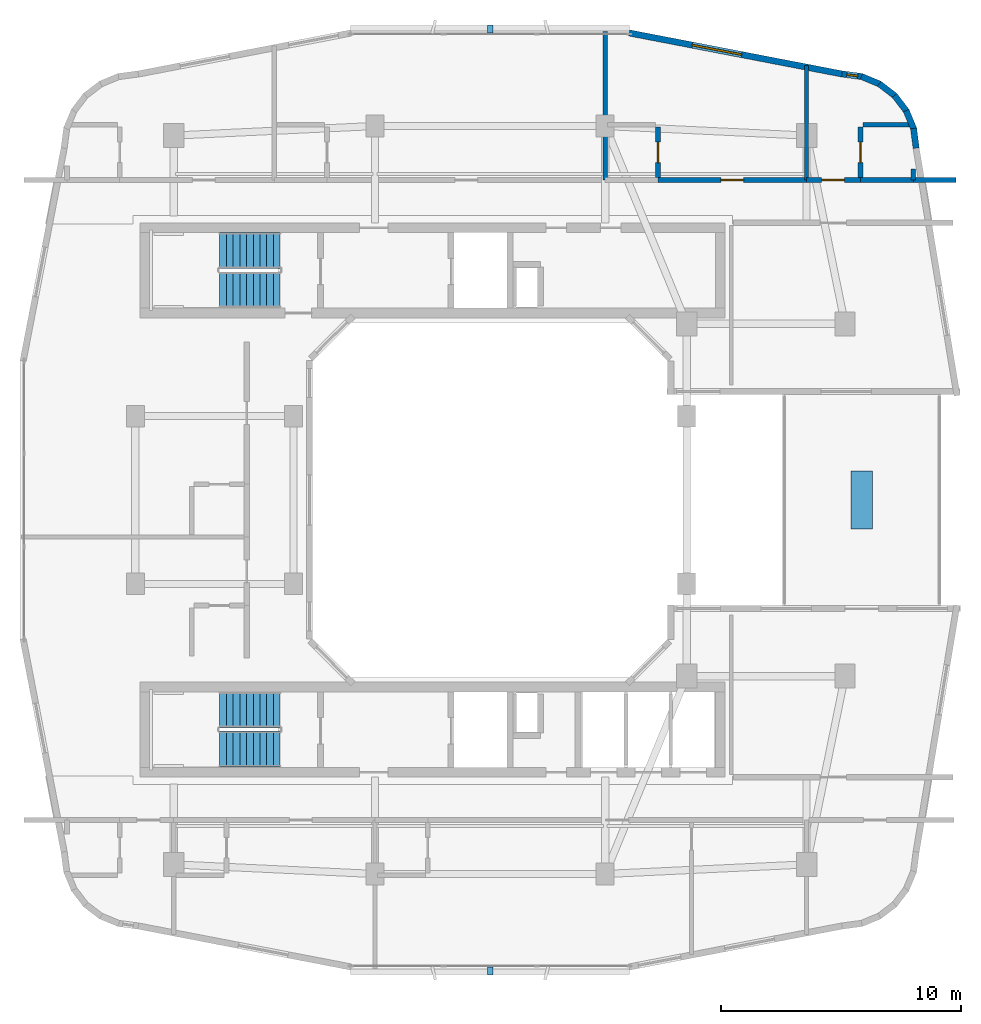
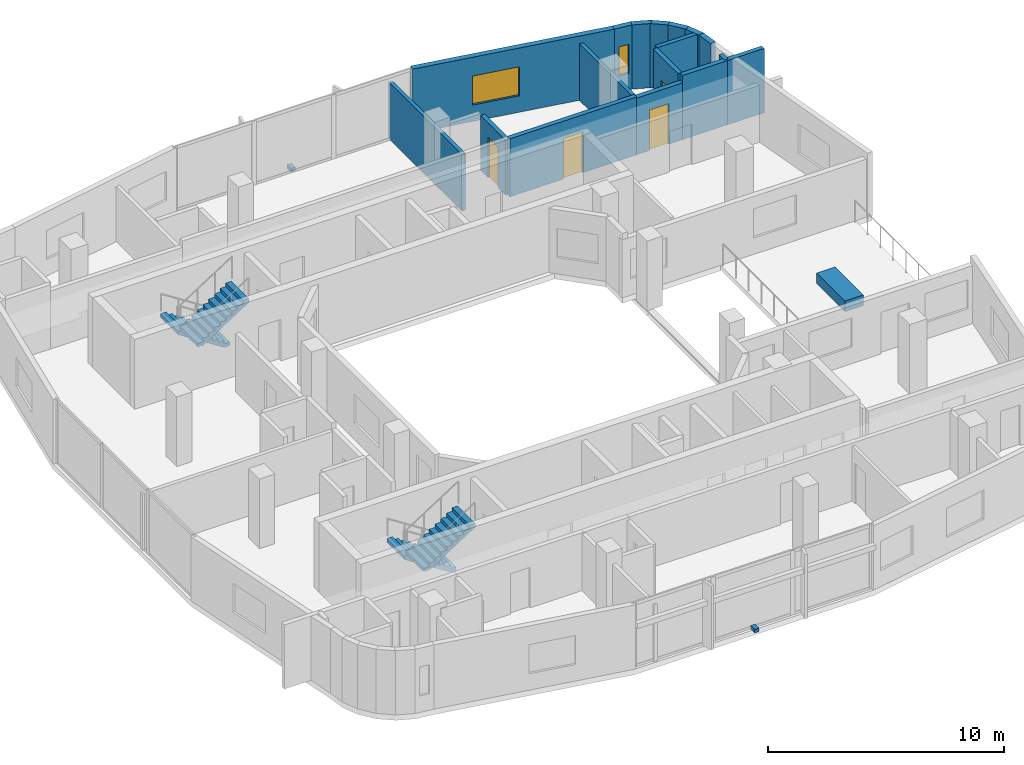
# One storey, part 8 of 12: 17 walls, 4 doors, 4 stair flights, 3 discrete accessories, 2 windows, 6 openings, 2 elements without a shape of their own.
"""IFC4 building model written with IfcOpenShell, lengths in metres."""

from ifc_helpers import new_model, si_unit, derived_unit, direction, frame, frame_2d, origin, origin_2d, place, context, subcontext, project, spatial, polyline, rectangle, outline, extrude, material, layer, layer_set, type_object, element, fill, aggregate, save


model = new_model("IFC4")

# Units and contexts
model_context = context("Model", 3, precision=1e-05, world=origin(), true_north=direction((0.0, 1.0)))
body_context = subcontext(model_context, "Body", "Model", "MODEL_VIEW")
ifc_project = project(units=[si_unit("LENGTHUNIT", "METRE"), si_unit("AREAUNIT", "SQUARE_METRE"), si_unit("VOLUMEUNIT", "CUBIC_METRE"), si_unit("PLANEANGLEUNIT", "RADIAN"), si_unit("MASSUNIT", "GRAM", prefix="KILO"), derived_unit("THERMALTRANSMITTANCEUNIT", [(si_unit("POWERUNIT", "WATT"), 1), (si_unit("LENGTHUNIT", "METRE"), -2), (si_unit("THERMODYNAMICTEMPERATUREUNIT", "KELVIN"), -1)])], contexts=[model_context])

# Site, building, storey
site_placement = place(None, origin())
site = spatial("IfcSite", under=ifc_project, at=site_placement, CompositionType="ELEMENT")
building_placement = place(site_placement, origin())
building = spatial("IfcBuilding", under=site, at=building_placement, Name="Kivonza Crest Hotel", CompositionType="ELEMENT")
storey_placement = place(building_placement, frame((0.0, 0.0, 177.5)))
storey = spatial("IfcBuildingStorey", under=building, at=storey_placement, Name="L48", CompositionType="ELEMENT", Elevation=177.5)

# Walls
ifc_material_1 = material(Name="High-density acoustic masonry inter-tenancy wall", Category="masonry")
ifc_layer_1 = layer(ifc_material_1, 0.179931640625)
ifc_layer_set_1 = layer_set([ifc_layer_1], Name="High-density acoustic masonry inter-tenancy wall")
wall_type_1 = type_object("IfcWallType", Name="WL-ACOU-180", PredefinedType="SOLIDWALL", material=ifc_layer_set_1)
wall_1_placement = place(storey_placement, frame((25.800048828125, 38.35009765625, 0.0), z_axis=(0.0, 0.0, 1.0), x_axis=(0.0, 1.0, 0.0)))
element("IfcWall", 1, at=wall_1_placement, inside=storey, type_object=wall_type_1, Name="L48 interior partition WA-L48-T1N-DIV2", PredefinedType="SOLIDWALL", context=body_context, shape_type="SweptSolid", body=[
    extrude(rectangle(XDim=6.18994140625, YDim=0.179931640625, at=frame_2d((3.094970703125, 0.0))), origin(), (0.0, 0.0, 1.0), 2.93505859375),
])
wall_2_placement = place(storey_placement, frame((34.199951171875, 38.35009765625, 0.0), z_axis=(0.0, 0.0, 1.0), x_axis=(0.0, 1.0, 0.0)))
element("IfcWall", 2, at=wall_2_placement, inside=storey, type_object=wall_type_1, Name="L48 interior partition WA-L48-T1N-DIV3", PredefinedType="SOLIDWALL", context=body_context, shape_type="SweptSolid", body=[
    extrude(rectangle(XDim=4.77783203125, YDim=0.179931640625, at=frame_2d((2.388916015625, 0.0))), origin(), (0.0, 0.0, 1.0), 2.93505859375),
])

# Wall, opening, door
ifc_material_2 = material(Name="Autoclaved aerated concrete blockwork", Category="masonry")
ifc_layer_2 = layer(ifc_material_2, 0.219970703125)
ifc_layer_set_2 = layer_set([ifc_layer_2], Name="Autoclaved aerated concrete blockwork")
wall_type_2 = type_object("IfcWallType", Name="WL-ACOU-220", PredefinedType="SOLIDWALL", material=ifc_layer_set_2)
wall_3_placement = place(storey_placement, frame((28.0, 38.35009765625, 0.0), z_axis=(0.0, 0.0, 1.0), x_axis=(1.0, 0.0, 0.0)))
wall_3 = element("IfcWall", 3, at=wall_3_placement, inside=storey, type_object=wall_type_2, Name="L48 interior partition WA-L48-N03-MCORR", PredefinedType="SOLIDWALL", context=body_context, shape_type="SweptSolid", body=[
    extrude(rectangle(XDim=6.199951171875, YDim=0.219970703125, at=frame_2d((3.10009765625, 0.0))), origin(), (0.0, 0.0, 1.0), 2.9951171875),
])
opening_1_placement = place(wall_3_placement, frame((2.625, 0.0, 0.0)))
opening_1 = element("IfcOpeningElement", 4, at=opening_1_placement, cuts=wall_3, Name="Opening DU-60", PredefinedType="OPENING", context=body_context, shape_type="SweptSolid", body=[
    extrude(rectangle(XDim=0.949951171875, YDim=2.10009765625, at=frame_2d((0.47509765625, 1.050048828125))), frame((0.0, 0.1201171875, 0.0), z_axis=(0.0, -1.0, 0.0), x_axis=(1.0, 0.0, 0.0)), (0.0, 0.0, 1.0), 0.239990234375),
])
ifc_material_3 = material(Name="Hardwood timber oak", Category="wood")
door_type_1 = type_object("IfcDoorType", Name="DR-UNIT-950", OperationType="NOTDEFINED", PredefinedType="DOOR", material=ifc_material_3)
door_1_placement = place(opening_1_placement, origin())
door_1 = element("IfcDoor", 5, at=door_1_placement, inside=storey, type_object=door_type_1, Name="L48 N03 guest unit entrance fire door", OperationType="SINGLE_SWING_LEFT", OverallHeight=2.10009765625, OverallWidth=0.949951171875, PredefinedType="DOOR", context=body_context, shape_type="SweptSolid", body=[
    extrude(rectangle(XDim=0.949951171875, YDim=2.10009765625, at=frame_2d((0.47509765625, 1.050048828125))), frame((0.0, 0.02490234375, 0.0), z_axis=(0.0, -1.0, 0.0), x_axis=(1.0, 0.0, 0.0)), (0.0, 0.0, 1.0), 0.050048828125),
])
fill(opening_1, door_1)

# Walls
wall_4_placement = place(storey_placement, frame((38.64990234375, 38.35009765625, 0.0), z_axis=(0.0, 0.0, 1.0), x_axis=(1.0, 0.0, 0.0)))
element("IfcWall", 6, at=wall_4_placement, inside=storey, type_object=wall_type_2, Name="L48 interior partition WA-L48-N04-XCORR", PredefinedType="SOLIDWALL", context=body_context, shape_type="SweptSolid", body=[
    extrude(rectangle(XDim=1.7900390625, YDim=0.219970703125, at=frame_2d((0.89501953125, 0.0))), origin(), (0.0, 0.0, 1.0), 3.320068359375),
])
wall_5_placement = place(storey_placement, frame((36.449951171875, 38.35009765625, 0.0), z_axis=(0.0, 0.0, 1.0), x_axis=(1.0, 0.0, 0.0)))
element("IfcWall", 7, at=wall_5_placement, inside=storey, type_object=wall_type_2, Name="L48 interior partition WA-L48-N04-BCORR", PredefinedType="SOLIDWALL", context=body_context, shape_type="SweptSolid", body=[
    extrude(rectangle(XDim=2.199951171875, YDim=0.219970703125, at=frame_2d((1.10009765625, 0.0))), origin(), (0.0, 0.0, 1.0), 3.320068359375),
])

# Wall, opening, door
wall_6_placement = place(storey_placement, frame((34.199951171875, 38.35009765625, 0.0), z_axis=(0.0, 0.0, 1.0), x_axis=(1.0, 0.0, 0.0)))
wall_6 = element("IfcWall", 8, at=wall_6_placement, inside=storey, type_object=wall_type_2, Name="L48 interior partition WA-L48-N04-MCORR", PredefinedType="SOLIDWALL", context=body_context, shape_type="SweptSolid", body=[
    extrude(rectangle(XDim=2.25, YDim=0.219970703125, at=frame_2d((1.125, 0.0))), origin(), (0.0, 0.0, 1.0), 2.93505859375),
])
opening_2_placement = place(wall_6_placement, frame((0.6298828125, 0.0, 0.0)))
opening_2 = element("IfcOpeningElement", 9, at=opening_2_placement, cuts=wall_6, Name="Opening DU-60", PredefinedType="OPENING", context=body_context, shape_type="SweptSolid", body=[
    extrude(rectangle(XDim=0.949951171875, YDim=2.10009765625, at=frame_2d((0.47509765625, 1.050048828125))), frame((0.0, 0.1201171875, 0.0), z_axis=(0.0, -1.0, 0.0), x_axis=(1.0, 0.0, 0.0)), (0.0, 0.0, 1.0), 0.239990234375),
])
door_2_placement = place(opening_2_placement, origin())
door_2 = element("IfcDoor", 10, at=door_2_placement, inside=storey, type_object=door_type_1, Name="L48 N04 guest unit entrance fire door", OperationType="SINGLE_SWING_RIGHT", OverallHeight=2.10009765625, OverallWidth=0.949951171875, PredefinedType="DOOR", context=body_context, shape_type="SweptSolid", body=[
    extrude(rectangle(XDim=0.949951171875, YDim=2.10009765625, at=frame_2d((0.47509765625, 1.050048828125))), frame((0.0, 0.02490234375, 0.0), z_axis=(0.0, -1.0, 0.0), x_axis=(1.0, 0.0, 0.0)), (0.0, 0.0, 1.0), 0.050048828125),
])
fill(opening_2, door_2)

# Walls
ifc_material_4 = material(Name="Precast concrete C40/50", Category="concrete")
ifc_layer_3 = layer(ifc_material_4, 0.260009765625)
ifc_layer_set_3 = layer_set([ifc_layer_3], Name="Precast concrete C40/50")
wall_type_3 = type_object("IfcWallType", Name="WL-EXT-260", PredefinedType="STANDARD", material=ifc_layer_set_3)
wall_7_placement = place(storey_placement, frame((38.77197265625, 39.675048828125, 0.0), z_axis=(0.0, 0.0, 1.0), x_axis=(-0.130704676564, 0.99142134712, 0.0)))
element("IfcWall", 11, at=wall_7_placement, inside=storey, type_object=wall_type_3, Name="L48 T1 exterior insulated wall 29", PredefinedType="STANDARD", context=body_context, shape_type="SweptSolid", body=[
    extrude(rectangle(XDim=0.8330078125, YDim=0.260009765625, at=frame_2d((0.41650390625, 0.0))), origin(), (0.0, 0.0, 1.0), 3.320068359375),
])
wall_8_placement = place(storey_placement, frame((38.680908203125, 40.455078125, 0.0), z_axis=(0.0, 0.0, 1.0), x_axis=(-0.383086687796, 0.923712395518, 0.0)))
element("IfcWall", 12, at=wall_8_placement, inside=storey, type_object=wall_type_3, Name="L48 T1 exterior insulated wall 30", PredefinedType="STANDARD", context=body_context, shape_type="SweptSolid", body=[
    extrude(rectangle(XDim=0.850830078125, YDim=0.260009765625, at=frame_2d((0.42529296875, 0.0))), origin(), (0.0, 0.0, 1.0), 3.320068359375),
])
for number, where, z_axis, x_axis, name in (
    (13, (38.383056640625, 41.200927734375, 0.0), (0.0, 0.0, 1.0), (-0.608099977432, 0.793860452124, 0.0), "L48 T1 exterior insulated wall 31"),
    (14, (37.904052734375, 41.844970703125, 0.0), (0.0, 0.0, 1.0), (-0.793860452124, 0.608099977432, 0.0), "L48 T1 exterior insulated wall 32"),
):
    element("IfcWall", number, at=place(storey_placement, frame(where, z_axis=z_axis, x_axis=x_axis)), inside=storey, type_object=wall_type_3, Name=name, PredefinedType="STANDARD", context=body_context, shape_type="SweptSolid", body=[
        extrude(rectangle(XDim=0.850341796875, YDim=0.260009765625, at=frame_2d((0.42529296875, 0.0))), origin(), (0.0, 0.0, 1.0), 3.320068359375),
    ])
wall_9_placement = place(storey_placement, frame((37.27294921875, 42.341064453125, 0.0), z_axis=(0.0, 0.0, 1.0), x_axis=(-0.923712395518, 0.383086687796, 0.0)))
element("IfcWall", 15, at=wall_9_placement, inside=storey, type_object=wall_type_3, Name="L48 T1 exterior insulated wall 33", PredefinedType="STANDARD", context=body_context, shape_type="SweptSolid", body=[
    extrude(rectangle(XDim=0.850830078125, YDim=0.260009765625, at=frame_2d((0.42529296875, 0.0))), origin(), (0.0, 0.0, 1.0), 3.320068359375),
])

# Wall, opening, window
wall_10_placement = place(storey_placement, frame((36.535888671875, 42.658935546875, 0.0), z_axis=(0.0, 0.0, 1.0), x_axis=(-0.991488716273, 0.130192647656, 0.0)))
wall_10 = element("IfcWall", 16, at=wall_10_placement, inside=storey, type_object=wall_type_3, Name="L48 T1 exterior insulated wall 34", PredefinedType="STANDARD", context=body_context, shape_type="SweptSolid", body=[
    extrude(rectangle(XDim=0.8681640625, YDim=0.260009765625, at=frame_2d((0.43408203125, 0.0))), origin(), (0.0, 0.0, 1.0), 3.320068359375),
])
opening_3_placement = place(wall_10_placement, frame((0.208984375, 0.0, 0.85009765625)))
opening_3 = element("IfcOpeningElement", 17, at=opening_3_placement, cuts=wall_10, Name="Opening WN-11", PredefinedType="OPENING", context=body_context, shape_type="SweptSolid", body=[
    extrude(rectangle(XDim=0.449951171875, YDim=1.5, at=frame_2d((0.22509765625, 0.75))), frame((0.0, 0.14013671875, 0.0), z_axis=(0.0, -1.0, 0.0), x_axis=(1.0, 0.0, 0.0)), (0.0, 0.0, 1.0), 0.280029296875),
])
ifc_material_5 = material(Name="Thermally broken bronze aluminium and low-E double glazing", Category="aluminium")
window_type_1 = type_object("IfcWindowType", Name="WN-045x150", PartitioningType="SINGLE_PANEL", PredefinedType="WINDOW", material=ifc_material_5)
window_1_placement = place(opening_3_placement, origin())
window_1 = element("IfcWindow", 18, at=window_1_placement, inside=storey, type_object=window_type_1, Name="L48 corner vision window 1", OverallHeight=1.5, OverallWidth=0.449951171875, PartitioningType="SINGLE_PANEL", PredefinedType="WINDOW", context=body_context, shape_type="SweptSolid", body=[
    extrude(rectangle(XDim=0.449951171875, YDim=1.5, at=frame_2d((0.22509765625, 0.75))), frame((0.0, 0.030029296875, 0.0), z_axis=(0.0, -1.0, 0.0), x_axis=(1.0, 0.0, 0.0)), (0.0, 0.0, 1.0), 0.06005859375),
])
fill(opening_3, window_1)

wall_11_placement = place(storey_placement, frame((35.68310546875, 42.77001953125, 0.0), z_axis=(0.0, 0.0, 1.0), x_axis=(-0.98192801022, 0.189254809039, 0.0)))
wall_11 = element("IfcWall", 19, at=wall_11_placement, inside=storey, type_object=wall_type_3, Name="L48 T1 exterior insulated wall 35", PredefinedType="STANDARD", context=body_context, shape_type="SweptSolid", body=[
    extrude(rectangle(XDim=9.045654296875, YDim=0.260009765625, at=frame_2d((4.52294921875, 0.0))), origin(), (0.0, 0.0, 1.0), 3.320068359375),
])
opening_4_placement = place(wall_11_placement, frame((4.264892578125, 0.0, 0.85009765625)))
opening_4 = element("IfcOpeningElement", 20, at=opening_4_placement, cuts=wall_11, Name="Opening WN-04", PredefinedType="OPENING", context=body_context, shape_type="SweptSolid", body=[
    extrude(rectangle(XDim=2.10009765625, YDim=1.5, at=frame_2d((1.050048828125, 0.75))), frame((0.0, 0.14013671875, 0.0), z_axis=(0.0, -1.0, 0.0), x_axis=(1.0, 0.0, 0.0)), (0.0, 0.0, 1.0), 0.280029296875),
])
window_type_2 = type_object("IfcWindowType", Name="WN-210x150", PartitioningType="DOUBLE_PANEL_VERTICAL", PredefinedType="WINDOW", material=ifc_material_5)
window_2_placement = place(opening_4_placement, origin())
window_2 = element("IfcWindow", 21, at=window_2_placement, inside=storey, type_object=window_type_2, Name="L48 T1 facade window 35", OverallHeight=1.5, OverallWidth=2.10009765625, PartitioningType="SINGLE_PANEL", PredefinedType="WINDOW", context=body_context, shape_type="SweptSolid", body=[
    extrude(rectangle(XDim=2.10009765625, YDim=1.5, at=frame_2d((1.050048828125, 0.75))), frame((0.0, 0.030029296875, 0.0), z_axis=(0.0, -1.0, 0.0), x_axis=(1.0, 0.0, 0.0)), (0.0, 0.0, 1.0), 0.06005859375),
])
fill(opening_4, window_2)

# Wall, opening, door
ifc_material_6 = material(Name="Moisture-resistant plumbing chase partition wall", Category="gypsum")
ifc_layer_4 = layer(ifc_material_6, 0.199951171875)
ifc_layer_set_4 = layer_set([ifc_layer_4], Name="Moisture-resistant plumbing chase partition wall")
wall_type_4 = type_object("IfcWallType", Name="WL-PLUMB-200", PredefinedType="PLUMBINGWALL", material=ifc_layer_set_4)
wall_12_placement = place(storey_placement, frame((28.0, 38.449951171875, 0.0), z_axis=(0.0, 0.0, 1.0), x_axis=(0.0, 1.0, 0.0)))
wall_12 = element("IfcWall", 22, at=wall_12_placement, inside=storey, type_object=wall_type_4, Name="L48 interior partition WW-L48-N03-BV", PredefinedType="PLUMBINGWALL", context=body_context, shape_type="SweptSolid", body=[
    extrude(rectangle(XDim=2.10009765625, YDim=0.199951171875, at=frame_2d((1.050048828125, 0.0))), origin(), (0.0, 0.0, 1.0), 2.844970703125),
])
opening_5_placement = place(wall_12_placement, frame((0.625, 0.0, 0.0)))
opening_5 = element("IfcOpeningElement", 23, at=opening_5_placement, cuts=wall_12, Name="Opening DI-85", PredefinedType="OPENING", context=body_context, shape_type="SweptSolid", body=[
    extrude(rectangle(XDim=0.85009765625, YDim=2.10009765625, at=frame_2d((0.425048828125, 1.050048828125))), frame((0.0, 0.10986328125, 0.0), z_axis=(0.0, -1.0, 0.0), x_axis=(1.0, 0.0, 0.0)), (0.0, 0.0, 1.0), 0.219970703125),
])
door_type_2 = type_object("IfcDoorType", Name="DR-INT-850", OperationType="NOTDEFINED", PredefinedType="DOOR", material=ifc_material_3)
door_3_placement = place(opening_5_placement, frame((0.85009765625, 0.0, 0.0), z_axis=(0.0, 0.0, 1.0), x_axis=(-1.0, 0.0, 0.0)))
door_3 = element("IfcDoor", 24, at=door_3_placement, inside=storey, type_object=door_type_2, Name="L48 N03 en-suite bathroom door", OperationType="SINGLE_SWING_RIGHT", OverallHeight=2.10009765625, OverallWidth=0.85009765625, PredefinedType="DOOR", context=body_context, shape_type="SweptSolid", body=[
    extrude(rectangle(XDim=0.85009765625, YDim=2.10009765625, at=frame_2d((0.425048828125, 1.050048828125))), frame((0.0, 0.02490234375, 0.0), z_axis=(0.0, -1.0, 0.0), x_axis=(1.0, 0.0, 0.0)), (0.0, 0.0, 1.0), 0.050048828125),
])
fill(opening_5, door_3)

wall_13_placement = place(storey_placement, frame((36.449951171875, 38.449951171875, 0.0), z_axis=(0.0, 0.0, 1.0), x_axis=(0.0, 1.0, 0.0)))
wall_13 = element("IfcWall", 25, at=wall_13_placement, inside=storey, type_object=wall_type_4, Name="L48 interior partition WW-L48-N04-BV", PredefinedType="PLUMBINGWALL", context=body_context, shape_type="SweptSolid", body=[
    extrude(rectangle(XDim=2.10009765625, YDim=0.199951171875, at=frame_2d((1.050048828125, 0.0))), origin(), (0.0, 0.0, 1.0), 3.320068359375),
])
opening_6_placement = place(wall_13_placement, frame((0.625, 0.0, 0.0)))
opening_6 = element("IfcOpeningElement", 26, at=opening_6_placement, cuts=wall_13, Name="Opening DI-85", PredefinedType="OPENING", context=body_context, shape_type="SweptSolid", body=[
    extrude(rectangle(XDim=0.85009765625, YDim=2.10009765625, at=frame_2d((0.425048828125, 1.050048828125))), frame((0.0, 0.10986328125, 0.0), z_axis=(0.0, -1.0, 0.0), x_axis=(1.0, 0.0, 0.0)), (0.0, 0.0, 1.0), 0.219970703125),
])
door_4_placement = place(opening_6_placement, origin())
door_4 = element("IfcDoor", 27, at=door_4_placement, inside=storey, type_object=door_type_2, Name="L48 N04 en-suite bathroom door", OperationType="SINGLE_SWING_LEFT", OverallHeight=2.10009765625, OverallWidth=0.85009765625, PredefinedType="DOOR", context=body_context, shape_type="SweptSolid", body=[
    extrude(rectangle(XDim=0.85009765625, YDim=2.10009765625, at=frame_2d((0.425048828125, 1.050048828125))), frame((0.0, 0.02490234375, 0.0), z_axis=(0.0, -1.0, 0.0), x_axis=(1.0, 0.0, 0.0)), (0.0, 0.0, 1.0), 0.050048828125),
])
fill(opening_6, door_4)

# Walls
wall_14_placement = place(storey_placement, frame((36.550048828125, 40.64990234375, 0.0), z_axis=(0.0, 0.0, 1.0), x_axis=(1.0, 0.0, 0.0)))
element("IfcWall", 28, at=wall_14_placement, inside=storey, type_object=wall_type_4, Name="L48 interior partition WW-L48-N04-BH", PredefinedType="PLUMBINGWALL", context=body_context, shape_type="SweptSolid", body=[
    extrude(rectangle(XDim=2.0, YDim=0.199951171875, at=frame_2d((1.0, 0.0))), origin(), (0.0, 0.0, 1.0), 3.320068359375),
])
wall_15_placement = place(storey_placement, frame((38.64990234375, 38.35009765625, 0.0), z_axis=(0.0, 0.0, 1.0), x_axis=(0.0, 1.0, 0.0)))
element("IfcWall", 29, at=wall_15_placement, inside=storey, type_object=wall_type_4, Name="L48 interior partition WW-L48-N04-BVE", PredefinedType="PLUMBINGWALL", context=body_context, shape_type="SweptSolid", body=[
    extrude(rectangle(XDim=0.458984375, YDim=0.199951171875, at=frame_2d((0.2294921875, 0.0))), origin(), (0.0, 0.0, 1.0), 3.320068359375),
])

# Stair, stair flights
ifc_material_7 = material(Name="Concrete C40/50", Category="concrete")
stair_type = type_object("IfcStairType", Name="ST-DL-20R", PredefinedType="HALF_TURN_STAIR", material=ifc_material_7)
stair_1_placement = place(storey_placement, origin())
stair_1 = element("IfcStair", 30, at=stair_1_placement, inside=storey, type_object=stair_type, Name="L48 Protected Exit Stair ST-T1-N", PredefinedType="HALF_TURN_STAIR")
stair_flight_type = type_object("IfcStairFlightType", Name="SFL-RC-10R", PredefinedType="STRAIGHT", material=ifc_material_7)
stair_flight_1_placement = place(storey_placement, frame((12.239990234375, 35.409912109375, 0.0), z_axis=(0.0, 0.0, 1.0), x_axis=(-1.0, 0.0, 0.0)))
stair_flight_1 = element("IfcStairFlight", 31, at=stair_flight_1_placement, type_object=stair_flight_type, Name="ST-T1-N flight 1", NumberOfRisers=10, NumberOfTreads=9, PredefinedType="STRAIGHT", RiserHeight=0.18, TreadLength=0.28, context=body_context, shape_type="SweptSolid", body=[
    extrude(outline(polyline([(0.0, 0.0), (0.0, 0.179931640625), (0.280029296875, 0.179931640625), (0.280029296875, 0.360107421875), (0.56005859375, 0.360107421875), (0.56005859375, 0.5400390625), (0.840087890625, 0.5400390625), (0.840087890625, 0.719970703125), (1.1201171875, 0.719970703125), (1.1201171875, 0.89990234375), (1.39990234375, 0.89990234375), (1.39990234375, 1.080078125), (1.679931640625, 1.080078125), (1.679931640625, 1.260009765625), (1.9599609375, 1.260009765625), (1.9599609375, 1.43994140625), (2.239990234375, 1.43994140625), (2.239990234375, 1.6201171875), (2.52001953125, 1.6201171875), (2.52001953125, 1.800048828125), (2.52001953125, 1.44189453125), (0.277099609375, 0.0), (0.0, 0.0)])), frame((0.0, 0.75, 0.0), z_axis=(0.0, -1.0, 0.0), x_axis=(1.0, 0.0, 0.0)), (0.0, 0.0, 1.0), 1.5),
])
stair_flight_2_placement = place(storey_placement, frame((9.719970703125, 33.77001953125, 1.800048828125), z_axis=(0.0, 0.0, 1.0), x_axis=(1.0, 0.0, 0.0)))
stair_flight_2 = element("IfcStairFlight", 32, at=stair_flight_2_placement, type_object=stair_flight_type, Name="ST-T1-N flight 2", NumberOfRisers=10, NumberOfTreads=9, PredefinedType="STRAIGHT", RiserHeight=0.18, TreadLength=0.28, context=body_context, shape_type="SweptSolid", body=[
    extrude(outline(polyline([(0.0, 0.0), (0.0, 0.179931640625), (0.280029296875, 0.179931640625), (0.280029296875, 0.360107421875), (0.56005859375, 0.360107421875), (0.56005859375, 0.5400390625), (0.840087890625, 0.5400390625), (0.840087890625, 0.719970703125), (1.1201171875, 0.719970703125), (1.1201171875, 0.89990234375), (1.39990234375, 0.89990234375), (1.39990234375, 1.080078125), (1.679931640625, 1.080078125), (1.679931640625, 1.260009765625), (1.9599609375, 1.260009765625), (1.9599609375, 1.43994140625), (2.239990234375, 1.43994140625), (2.239990234375, 1.6201171875), (2.52001953125, 1.6201171875), (2.52001953125, 1.800048828125), (2.52001953125, 1.44189453125), (0.277099609375, 0.0), (0.0, 0.0)])), frame((0.0, 0.75, 0.0), z_axis=(0.0, -1.0, 0.0), x_axis=(1.0, 0.0, 0.0)), (0.0, 0.0, 1.0), 1.5),
])
aggregate(stair_1, [stair_flight_1, stair_flight_2])

stair_2_placement = place(storey_placement, origin())
stair_2 = element("IfcStair", 33, at=stair_2_placement, inside=storey, type_object=stair_type, Name="L48 Protected Exit Stair ST-T1-S", PredefinedType="HALF_TURN_STAIR")
stair_flight_3_placement = place(storey_placement, frame((12.239990234375, 16.25, 0.0), z_axis=(0.0, 0.0, 1.0), x_axis=(-1.0, 0.0, 0.0)))
stair_flight_3 = element("IfcStairFlight", 34, at=stair_flight_3_placement, type_object=stair_flight_type, Name="ST-T1-S flight 1", NumberOfRisers=10, NumberOfTreads=9, PredefinedType="STRAIGHT", RiserHeight=0.18, TreadLength=0.28, context=body_context, shape_type="SweptSolid", body=[
    extrude(outline(polyline([(0.0, 0.0), (0.0, 0.179931640625), (0.280029296875, 0.179931640625), (0.280029296875, 0.360107421875), (0.56005859375, 0.360107421875), (0.56005859375, 0.5400390625), (0.840087890625, 0.5400390625), (0.840087890625, 0.719970703125), (1.1201171875, 0.719970703125), (1.1201171875, 0.89990234375), (1.39990234375, 0.89990234375), (1.39990234375, 1.080078125), (1.679931640625, 1.080078125), (1.679931640625, 1.260009765625), (1.9599609375, 1.260009765625), (1.9599609375, 1.43994140625), (2.239990234375, 1.43994140625), (2.239990234375, 1.6201171875), (2.52001953125, 1.6201171875), (2.52001953125, 1.800048828125), (2.52001953125, 1.44189453125), (0.277099609375, 0.0), (0.0, 0.0)])), frame((0.0, 0.75, 0.0), z_axis=(0.0, -1.0, 0.0), x_axis=(1.0, 0.0, 0.0)), (0.0, 0.0, 1.0), 1.5),
])
stair_flight_4_placement = place(storey_placement, frame((9.719970703125, 14.610107421875, 1.800048828125), z_axis=(0.0, 0.0, 1.0), x_axis=(1.0, 0.0, 0.0)))
stair_flight_4 = element("IfcStairFlight", 35, at=stair_flight_4_placement, type_object=stair_flight_type, Name="ST-T1-S flight 2", NumberOfRisers=10, NumberOfTreads=9, PredefinedType="STRAIGHT", RiserHeight=0.18, TreadLength=0.28, context=body_context, shape_type="SweptSolid", body=[
    extrude(outline(polyline([(0.0, 0.0), (0.0, 0.179931640625), (0.280029296875, 0.179931640625), (0.280029296875, 0.360107421875), (0.56005859375, 0.360107421875), (0.56005859375, 0.5400390625), (0.840087890625, 0.5400390625), (0.840087890625, 0.719970703125), (1.1201171875, 0.719970703125), (1.1201171875, 0.89990234375), (1.39990234375, 0.89990234375), (1.39990234375, 1.080078125), (1.679931640625, 1.080078125), (1.679931640625, 1.260009765625), (1.9599609375, 1.260009765625), (1.9599609375, 1.43994140625), (2.239990234375, 1.43994140625), (2.239990234375, 1.6201171875), (2.52001953125, 1.6201171875), (2.52001953125, 1.800048828125), (2.52001953125, 1.44189453125), (0.277099609375, 0.0), (0.0, 0.0)])), frame((0.0, 0.75, 0.0), z_axis=(0.0, -1.0, 0.0), x_axis=(1.0, 0.0, 0.0)), (0.0, 0.0, 1.0), 1.5),
])
aggregate(stair_2, [stair_flight_3, stair_flight_4])

# Discrete accessories
ifc_material_8 = material(Name="Stainless steel 316", Category="steel")
discrete_accessory_type_1 = type_object("IfcDiscreteAccessoryType", Name="AC-BRACKET-240", PredefinedType="BRACKET", material=ifc_material_8)
for number, where, z_axis, x_axis, name in (
    (36, (21.0, 5.360107421875, -0.009765625), (0.0, 0.0, 1.0), (1.0, 0.0, 0.0), "L48 terracotta baguette support bracket CW-T1-L48-08"),
    (37, (21.0, 44.639892578125, -0.009765625), (0.0, 0.0, 1.0), (-1.0, 0.0, 0.0), "L48 terracotta baguette support bracket CW-T1-L48-36"),
):
    element("IfcDiscreteAccessory", number, at=place(storey_placement, frame(where, z_axis=z_axis, x_axis=x_axis)), inside=storey, type_object=discrete_accessory_type_1, Name=name, PredefinedType="BRACKET", context=body_context, shape_type="SweptSolid", body=[
        extrude(rectangle(XDim=0.219970703125, YDim=0.340087890625, at=origin_2d()), origin(), (0.0, 0.0, 1.0), 0.179931640625),
    ])
ifc_material_9 = material(Name="Precast GRC planter with engineered planting soil", Category="concrete")
discrete_accessory_type_2 = type_object("IfcDiscreteAccessoryType", Name="AC-PLANTER-1800", PredefinedType="USERDEFINED", material=ifc_material_9)
discrete_accessory_placement = place(storey_placement, frame((36.5, 25.0, 0.0), z_axis=(0.0, 0.0, 1.0), x_axis=(0.0, 1.0, 0.0)))
element("IfcDiscreteAccessory", 38, at=discrete_accessory_placement, inside=storey, type_object=discrete_accessory_type_2, Name="L48 void-portal terrace planter", ObjectType="PLANTER", PredefinedType="USERDEFINED", context=body_context, shape_type="SweptSolid", body=[
    extrude(rectangle(XDim=2.39990234375, YDim=0.89990234375, at=origin_2d()), origin(), (0.0, 0.0, 1.0), 0.550048828125),
])

save(model, "model.ifc")
